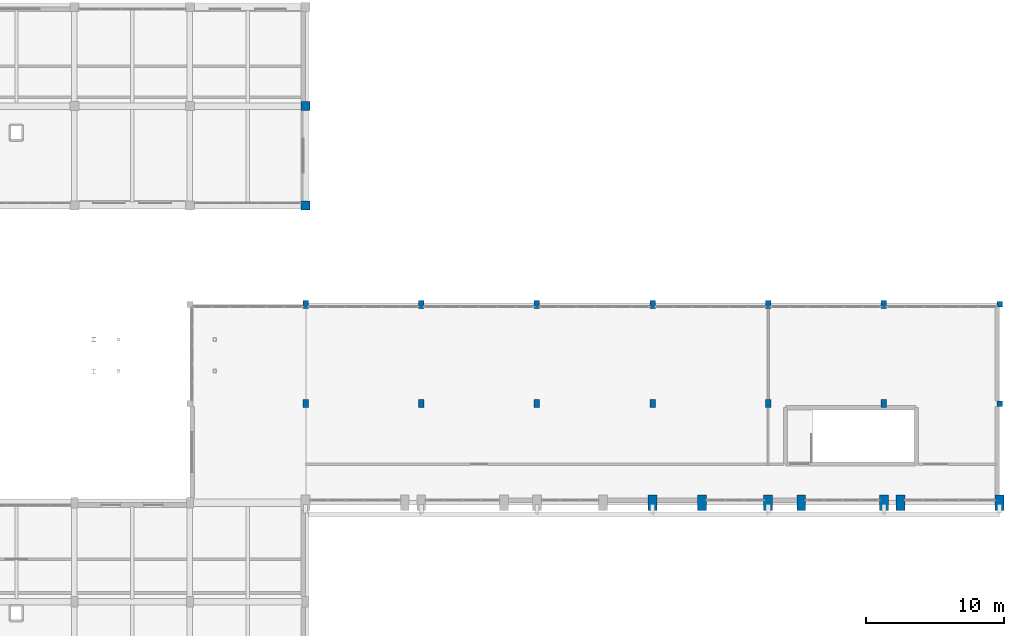
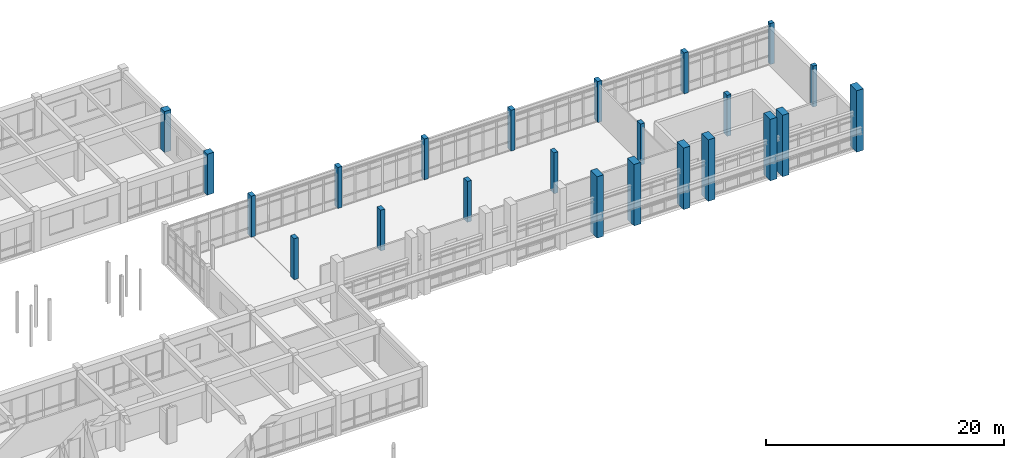
# One storey, part 32 of 147: 23 columns.
"""IFC4 building model written with IfcOpenShell, lengths in metres."""

from ifc_helpers import new_model, si_unit, direction, frame, origin, origin_2d, place, context, subcontext, project, spatial, rectangle, extrude, material, material_profile, profile_set, type_object, element, save


model = new_model("IFC4")

# Units and contexts
model_context = context("Model", 3, precision=1e-05, world=origin(), true_north=direction((0.0, 1.0)))
body_context = subcontext(model_context, "Body", "Model", "MODEL_VIEW")
ifc_project = project(units=[si_unit("LENGTHUNIT", "METRE"), si_unit("AREAUNIT", "SQUARE_METRE"), si_unit("VOLUMEUNIT", "CUBIC_METRE"), si_unit("PLANEANGLEUNIT", "RADIAN"), si_unit("MASSUNIT", "GRAM", prefix="KILO")], contexts=[model_context])

# Site, building, storey
site_placement = place(None, origin())
site = spatial("IfcSite", under=ifc_project, at=site_placement, CompositionType="ELEMENT")
building_placement = place(site_placement, origin())
building = spatial("IfcBuilding", under=site, at=building_placement, Name="Malvenik Polytechnic", CompositionType="ELEMENT")
storey_placement = place(building_placement, frame((0.0, 0.0, 5.10009765625)))
storey = spatial("IfcBuildingStorey", under=building, at=storey_placement, Name="L01", CompositionType="ELEMENT", Elevation=5.10009765625)

# Columns
ifc_material_1 = material(Name="Concrete C35/45", Category="concrete")
ifc_material_profile_1 = material_profile(ifc_material_1, rectangle(XDim=0.64990234375, YDim=0.64990234375, at=origin_2d()), Name="RC COL 650x650")
ifc_profile_set_1 = profile_set([ifc_material_profile_1], Name="Concrete C35/45")
column_type_1 = type_object("IfcColumnType", Name="STR-COL-C-05", PredefinedType="COLUMN", material=ifc_profile_set_1)
for number, where, z_axis, x_axis, name in (
    (1, (134.39990234375, 115.199951171875, 0.0), (0.0, 0.0, 1.0), (1.0, 0.0, 0.0), "Column C-05 L01 (134.4,115.2)"),
    (2, (134.39990234375, 122.39990234375, 0.0), (0.0, 0.0, 1.0), (1.0, 0.0, 0.0), "Column C-05 L01 (134.4,122.4)"),
):
    element("IfcColumn", number, at=place(storey_placement, frame(where, z_axis=z_axis, x_axis=x_axis)), inside=storey, type_object=column_type_1, Name=name, PredefinedType="COLUMN", context=body_context, shape_type="SweptSolid", body=[
        extrude(rectangle(XDim=0.64990234375, YDim=0.64990234375, at=origin_2d()), origin(), (0.0, 0.0, 1.0), 4.199951171875),
    ])
ifc_material_2 = material(Name="Concrete C30/37", Category="concrete")
ifc_material_profile_2 = material_profile(ifc_material_2, rectangle(XDim=0.39990234375, YDim=0.39990234375, at=origin_2d()), Name="RC COL 400x400")
ifc_profile_set_2 = profile_set([ifc_material_profile_2], Name="Concrete C30/37")
column_type_2 = type_object("IfcColumnType", Name="STR-COL-C-10", PredefinedType="COLUMN", material=ifc_profile_set_2)
for number, where, z_axis, x_axis, name in (
    (3, (184.800048828125, 100.800048828125, 0.0), (0.0, 0.0, 1.0), (1.0, 0.0, 0.0), "Column C-10 L01 (184.8,100.8)"),
    (4, (184.800048828125, 108.0, 0.0), (0.0, 0.0, 1.0), (1.0, 0.0, 0.0), "Column C-10 L01 (184.8,108.0)"),
):
    element("IfcColumn", number, at=place(storey_placement, frame(where, z_axis=z_axis, x_axis=x_axis)), inside=storey, type_object=column_type_2, Name=name, PredefinedType="COLUMN", context=body_context, shape_type="SweptSolid", body=[
        extrude(rectangle(XDim=0.39990234375, YDim=0.39990234375, at=origin_2d()), origin(), (0.0, 0.0, 1.0), 4.199951171875),
    ])
ifc_material_profile_3 = material_profile(ifc_material_1, rectangle(XDim=0.64990234375, YDim=1.10009765625, at=origin_2d()), Name="RC COL 1100x650")
ifc_profile_set_3 = profile_set([ifc_material_profile_3], Name="Concrete C35/45")
column_type_3 = type_object("IfcColumnType", Name="STR-COL-C-12", PredefinedType="COLUMN", material=ifc_profile_set_3)
for number, where, z_axis, x_axis, name in (
    (5, (159.60009765625, 93.60009765625, 0.0), (0.0, 0.0, 1.0), (1.0, 0.0, 0.0), "Column C-12 L01 (159.6,93.6)"),
    (6, (163.199951171875, 93.60009765625, 0.0), (0.0, 0.0, 1.0), (1.0, 0.0, 0.0), "Column C-12 L01 (163.2,93.6)"),
    (7, (168.0, 93.60009765625, 0.0), (0.0, 0.0, 1.0), (1.0, 0.0, 0.0), "Column C-12 L01 (168.0,93.6)"),
    (8, (170.39990234375, 93.60009765625, 0.0), (0.0, 0.0, 1.0), (1.0, 0.0, 0.0), "Column C-12 L01 (170.4,93.6)"),
    (9, (176.39990234375, 93.60009765625, 0.0), (0.0, 0.0, 1.0), (1.0, 0.0, 0.0), "Column C-12 L01 (176.4,93.6)"),
    (10, (177.60009765625, 93.60009765625, 0.0), (0.0, 0.0, 1.0), (1.0, 0.0, 0.0), "Column C-12 L01 (177.6,93.6)"),
    (11, (184.800048828125, 93.60009765625, 0.0), (0.0, 0.0, 1.0), (1.0, 0.0, 0.0), "Column C-12 L01 (184.8,93.6)"),
):
    element("IfcColumn", number, at=place(storey_placement, frame(where, z_axis=z_axis, x_axis=x_axis)), inside=storey, type_object=column_type_3, Name=name, PredefinedType="COLUMN", context=body_context, shape_type="SweptSolid", body=[
        extrude(rectangle(XDim=0.64990234375, YDim=1.10009765625, at=origin_2d()), origin(), (0.0, 0.0, 1.0), 6.2998046875),
    ])
ifc_material_profile_4 = material_profile(ifc_material_1, rectangle(XDim=0.39990234375, YDim=0.60009765625, at=origin_2d()), Name="RC COL 600x400")
ifc_profile_set_4 = profile_set([ifc_material_profile_4], Name="Concrete C35/45")
column_type_4 = type_object("IfcColumnType", Name="STR-COL-C-15", PredefinedType="COLUMN", material=ifc_profile_set_4)
for number, where, z_axis, x_axis, name in (
    (12, (134.39990234375, 100.800048828125, 0.0), (0.0, 0.0, 1.0), (1.0, 0.0, 0.0), "Column C-15 L01 (134.4,100.8)"),
    (13, (134.39990234375, 108.0, 0.0), (0.0, 0.0, 1.0), (1.0, 0.0, 0.0), "Column C-15 L01 (134.4,108.0)"),
    (14, (142.800048828125, 100.800048828125, 0.0), (0.0, 0.0, 1.0), (1.0, 0.0, 0.0), "Column C-15 L01 (142.8,100.8)"),
    (15, (142.800048828125, 108.0, 0.0), (0.0, 0.0, 1.0), (1.0, 0.0, 0.0), "Column C-15 L01 (142.8,108.0)"),
    (16, (151.199951171875, 100.800048828125, 0.0), (0.0, 0.0, 1.0), (1.0, 0.0, 0.0), "Column C-15 L01 (151.2,100.8)"),
    (17, (151.199951171875, 108.0, 0.0), (0.0, 0.0, 1.0), (1.0, 0.0, 0.0), "Column C-15 L01 (151.2,108.0)"),
    (18, (159.60009765625, 100.800048828125, 0.0), (0.0, 0.0, 1.0), (1.0, 0.0, 0.0), "Column C-15 L01 (159.6,100.8)"),
    (19, (159.60009765625, 108.0, 0.0), (0.0, 0.0, 1.0), (1.0, 0.0, 0.0), "Column C-15 L01 (159.6,108.0)"),
    (20, (168.0, 100.800048828125, 0.0), (0.0, 0.0, 1.0), (1.0, 0.0, 0.0), "Column C-15 L01 (168.0,100.8)"),
    (21, (168.0, 108.0, 0.0), (0.0, 0.0, 1.0), (1.0, 0.0, 0.0), "Column C-15 L01 (168.0,108.0)"),
    (22, (176.39990234375, 100.800048828125, 0.0), (0.0, 0.0, 1.0), (1.0, 0.0, 0.0), "Column C-15 L01 (176.4,100.8)"),
    (23, (176.39990234375, 108.0, 0.0), (0.0, 0.0, 1.0), (1.0, 0.0, 0.0), "Column C-15 L01 (176.4,108.0)"),
):
    element("IfcColumn", number, at=place(storey_placement, frame(where, z_axis=z_axis, x_axis=x_axis)), inside=storey, type_object=column_type_4, Name=name, PredefinedType="COLUMN", context=body_context, shape_type="SweptSolid", body=[
        extrude(rectangle(XDim=0.39990234375, YDim=0.60009765625, at=origin_2d()), origin(), (0.0, 0.0, 1.0), 4.199951171875),
    ])

save(model, "model.ifc")
